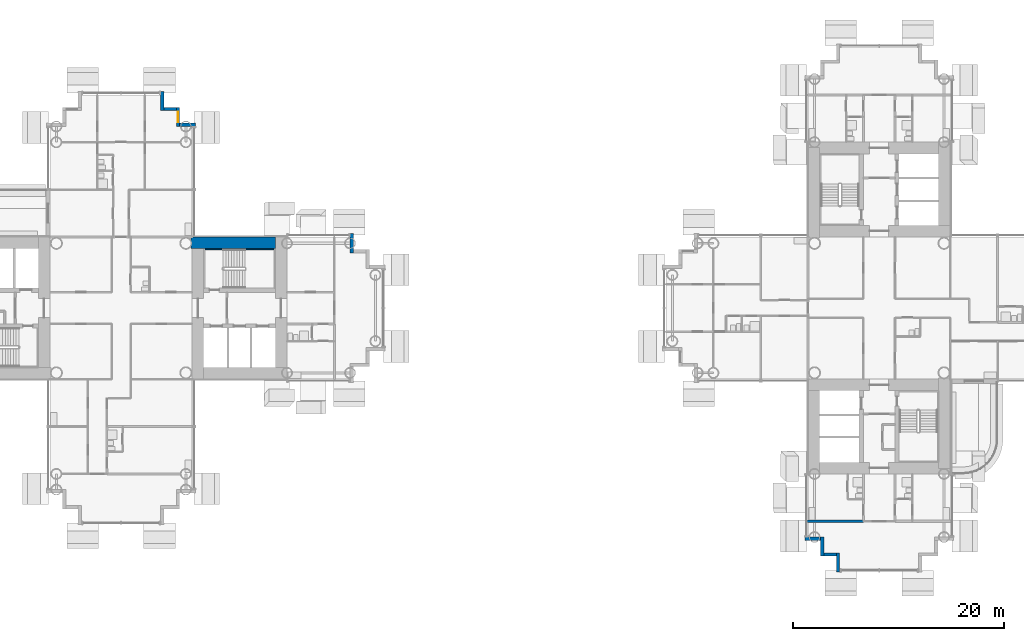
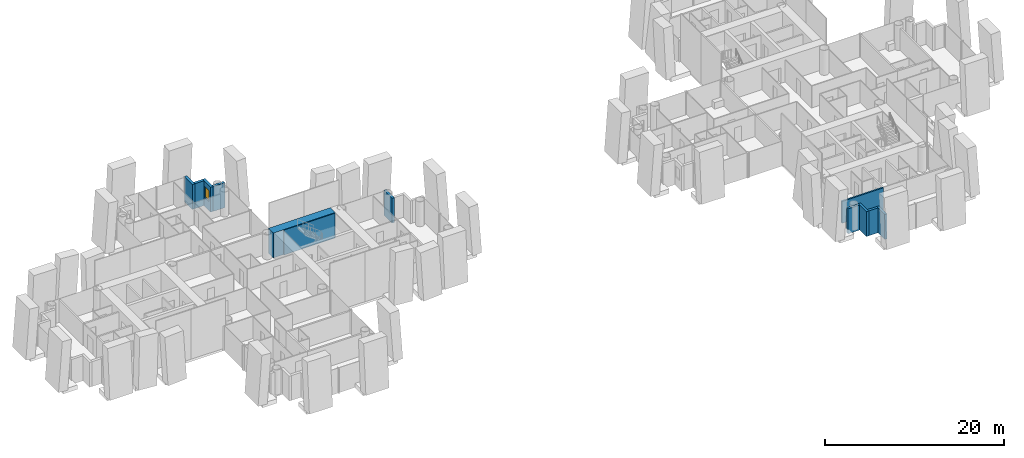
# One storey, part 13 of 25: 12 walls, 1 window, 1 opening.
"""IFC4 building model written with IfcOpenShell, lengths in metres."""

from ifc_helpers import new_model, si_unit, direction, frame, frame_2d, origin, place, context, subcontext, project, spatial, rectangle, extrude, material, layer, layer_set, type_object, element, fill, save


model = new_model("IFC4")

# Units and contexts
model_context = context("Model", 3, precision=1e-05, world=origin(), true_north=direction((0.0, 1.0)))
body_context = subcontext(model_context, "Body", "Model", "MODEL_VIEW")
ifc_project = project(units=[si_unit("LENGTHUNIT", "METRE"), si_unit("AREAUNIT", "SQUARE_METRE"), si_unit("VOLUMEUNIT", "CUBIC_METRE"), si_unit("PLANEANGLEUNIT", "RADIAN"), si_unit("MASSUNIT", "GRAM", prefix="KILO")], contexts=[model_context])

# Site, building, storey
site_placement = place(None, origin())
site = spatial("IfcSite", under=ifc_project, at=site_placement, CompositionType="ELEMENT")
building_placement = place(site_placement, origin())
building = spatial("IfcBuilding", under=site, at=building_placement, Name="Ipe Terrace Towers", CompositionType="ELEMENT")
storey_placement = place(building_placement, frame((0.0, 0.0, 31.300048828125)))
storey = spatial("IfcBuildingStorey", under=building, at=storey_placement, Name="L07", CompositionType="ELEMENT", Elevation=31.300048828125)

# Walls
ifc_material_1 = material(Name="Concrete C40/50 with buff precast cladding", Category="concrete")
ifc_layer_1 = layer(ifc_material_1, 0.320068359375)
ifc_layer_set_1 = layer_set([ifc_layer_1], Name="BUFF CLADDING WALL 320")
wall_type_1 = type_object("IfcWallType", Name="BUFF CLADDING WALL 320", PredefinedType="STANDARD", material=ifc_layer_set_1)
wall_1_placement = place(storey_placement, frame((-14.090087890625, 5.25, -0.300048828125), z_axis=(0.0, 0.0, 1.0), x_axis=(0.0, 1.0, 0.0)))
element("IfcWall", 1, at=wall_1_placement, inside=storey, type_object=wall_type_1, Name="T1-W-L07-29a wall", PredefinedType="STANDARD", context=body_context, shape_type="SweptSolid", body=[
    extrude(rectangle(XDim=1.820068359375, YDim=0.320068359375, at=frame_2d((0.91015625, 0.0))), origin(), (0.0, 0.0, 1.0), 3.39990234375),
])
wall_2_placement = place(storey_placement, frame((-28.929931640625, 17.409912109375, -0.300048828125), z_axis=(0.0, 0.0, 1.0), x_axis=(-1.0, 0.0, 0.0)))
element("IfcWall", 2, at=wall_2_placement, inside=storey, type_object=wall_type_1, Name="T1-W-L07-34a wall", PredefinedType="STANDARD", context=body_context, shape_type="SweptSolid", body=[
    extrude(rectangle(XDim=1.5, YDim=0.320068359375, at=frame_2d((0.75, 0.0))), origin(), (0.0, 0.0, 1.0), 3.39990234375),
])

# Wall, opening, window
wall_3_placement = place(storey_placement, frame((-30.590087890625, 17.25, -0.300048828125), z_axis=(0.0, 0.0, 1.0), x_axis=(0.0, 1.0, 0.0)))
wall_3 = element("IfcWall", 3, at=wall_3_placement, inside=storey, type_object=wall_type_1, Name="T1-W-L07-35a wall", PredefinedType="STANDARD", context=body_context, shape_type="SweptSolid", body=[
    extrude(rectangle(XDim=1.820068359375, YDim=0.320068359375, at=frame_2d((0.91015625, 0.0))), origin(), (0.0, 0.0, 1.0), 3.39990234375),
])
opening_placement = place(wall_3_placement, frame((0.409912109375, 0.0, 1.199951171875)))
opening = element("IfcOpeningElement", 4, at=opening_placement, cuts=wall_3, Name="Opening T1-W-05-L07-02", PredefinedType="OPENING", context=body_context, shape_type="SweptSolid", body=[
    extrude(rectangle(XDim=1.0, YDim=1.5, at=frame_2d((0.5, 0.75))), frame((0.0, 0.169921875, 0.0), z_axis=(0.0, -1.0, 0.0), x_axis=(1.0, 0.0, 0.0)), (0.0, 0.0, 1.0), 0.340087890625),
])
ifc_material_2 = material(Name="Glass, clear laminated", Category="glass")
window_type = type_object("IfcWindowType", Name="DWELLING WINDOW 1000 x 1500", PartitioningType="SINGLE_PANEL", PredefinedType="WINDOW", material=ifc_material_2)
window_placement = place(opening_placement, origin())
window = element("IfcWindow", 5, at=window_placement, inside=storey, type_object=window_type, Name="W-05 window", OverallHeight=1.5, OverallWidth=1.0, PartitioningType="SINGLE_PANEL", PredefinedType="WINDOW", context=body_context, shape_type="SweptSolid", body=[
    extrude(rectangle(XDim=1.0, YDim=1.5, at=frame_2d((0.5, 0.75))), frame((0.0, 0.030029296875, 0.0), z_axis=(0.0, -1.0, 0.0), x_axis=(1.0, 0.0, 0.0)), (0.0, 0.0, 1.0), 0.06005859375),
])
fill(opening, window)

# Walls
wall_4_placement = place(storey_placement, frame((-30.75, 18.909912109375, -0.300048828125), z_axis=(0.0, 0.0, 1.0), x_axis=(-1.0, 0.0, 0.0)))
element("IfcWall", 6, at=wall_4_placement, inside=storey, type_object=wall_type_1, Name="T1-W-L07-36a wall", PredefinedType="STANDARD", context=body_context, shape_type="SweptSolid", body=[
    extrude(rectangle(XDim=1.179931640625, YDim=0.320068359375, at=frame_2d((0.58984375, 0.0))), origin(), (0.0, 0.0, 1.0), 3.39990234375),
])
wall_5_placement = place(storey_placement, frame((-32.090087890625, 18.75, -0.300048828125), z_axis=(0.0, 0.0, 1.0), x_axis=(0.0, 1.0, 0.0)))
element("IfcWall", 7, at=wall_5_placement, inside=storey, type_object=wall_type_1, Name="T1-W-L07-37a wall", PredefinedType="STANDARD", context=body_context, shape_type="SweptSolid", body=[
    extrude(rectangle(XDim=1.820068359375, YDim=0.320068359375, at=frame_2d((0.91015625, 0.0))), origin(), (0.0, 0.0, 1.0), 3.39990234375),
])
wall_6_placement = place(storey_placement, frame((28.929931640625, -21.909912109375, -0.300048828125), z_axis=(0.0, 0.0, 1.0), x_axis=(1.0, 0.0, 0.0)))
element("IfcWall", 8, at=wall_6_placement, inside=storey, type_object=wall_type_1, Name="T2-W-L07-47a wall", PredefinedType="STANDARD", context=body_context, shape_type="SweptSolid", body=[
    extrude(rectangle(XDim=1.5, YDim=0.320068359375, at=frame_2d((0.75, 0.0))), origin(), (0.0, 0.0, 1.0), 3.39990234375),
])
wall_7_placement = place(storey_placement, frame((30.590087890625, -21.75, -0.300048828125), z_axis=(0.0, 0.0, 1.0), x_axis=(0.0, -1.0, 0.0)))
element("IfcWall", 9, at=wall_7_placement, inside=storey, type_object=wall_type_1, Name="T2-W-L07-48a wall", PredefinedType="STANDARD", context=body_context, shape_type="SweptSolid", body=[
    extrude(rectangle(XDim=1.820068359375, YDim=0.320068359375, at=frame_2d((0.91015625, 0.0))), origin(), (0.0, 0.0, 1.0), 3.39990234375),
])
wall_8_placement = place(storey_placement, frame((30.75, -23.409912109375, -0.300048828125), z_axis=(0.0, 0.0, 1.0), x_axis=(1.0, 0.0, 0.0)))
element("IfcWall", 10, at=wall_8_placement, inside=storey, type_object=wall_type_1, Name="T2-W-L07-49a wall", PredefinedType="STANDARD", context=body_context, shape_type="SweptSolid", body=[
    extrude(rectangle(XDim=1.179931640625, YDim=0.320068359375, at=frame_2d((0.58984375, 0.0))), origin(), (0.0, 0.0, 1.0), 3.39990234375),
])
wall_9_placement = place(storey_placement, frame((32.090087890625, -23.25, -0.300048828125), z_axis=(0.0, 0.0, 1.0), x_axis=(0.0, -1.0, 0.0)))
element("IfcWall", 11, at=wall_9_placement, inside=storey, type_object=wall_type_1, Name="T2-W-L07-50a wall", PredefinedType="STANDARD", context=body_context, shape_type="SweptSolid", body=[
    extrude(rectangle(XDim=1.820068359375, YDim=0.320068359375, at=frame_2d((0.91015625, 0.0))), origin(), (0.0, 0.0, 1.0), 3.39990234375),
])
ifc_material_3 = material(Name="Gypsum board party wall", Category="plasterboard")
ifc_layer_2 = layer(ifc_material_3, 0.199951171875)
ifc_layer_set_2 = layer_set([ifc_layer_2], Name="Gypsum board party wall 200 mm")
wall_type_2 = type_object("IfcWallType", Name="Gypsum board party wall 200 mm", PredefinedType="SOLIDWALL", material=ifc_layer_set_2)
wall_10_placement = place(storey_placement, frame((34.5, -20.25, 0.0), z_axis=(0.0, 0.0, 1.0), x_axis=(-1.0, 0.0, 0.0)))
element("IfcWall", 12, at=wall_10_placement, inside=storey, type_object=wall_type_2, Name="Gypsum board party wall T2 L07 W03", PredefinedType="SOLIDWALL", context=body_context, shape_type="SweptSolid", body=[
    extrude(rectangle(XDim=5.35009765625, YDim=0.199951171875, at=frame_2d((2.675048828125, 0.0))), origin(), (0.0, 0.0, 1.0), 3.0),
])
ifc_material_4 = material(Name="Concrete C60/75", Category="concrete")
ifc_layer_3 = layer(ifc_material_4, 0.10009765625)
ifc_layer_set_3 = layer_set([ifc_layer_3], Name="RW100 CORE INFILL WALL 100 C60-75")
wall_type_3 = type_object("IfcWallType", Name="RW100 CORE INFILL WALL 100 C60-75", PredefinedType="SHEAR", material=ifc_layer_set_3)
wall_11_placement = place(storey_placement, frame((-28.050048828125, 5.60009765625, 0.0), z_axis=(0.0, 0.0, 1.0), x_axis=(1.0, 0.0, 0.0)))
element("IfcWall", 13, at=wall_11_placement, inside=storey, type_object=wall_type_3, Name="Core infill wall T1-C1-back", PredefinedType="SHEAR", context=body_context, shape_type="SweptSolid", body=[
    extrude(rectangle(XDim=6.60009765625, YDim=0.10009765625, at=frame_2d((3.300048828125, 0.0))), origin(), (0.0, 0.0, 1.0), 3.39990234375),
])
ifc_material_5 = material(Name="Concrete C60/75", Category="concrete")
ifc_layer_4 = layer(ifc_material_5, 1.10009765625)
ifc_layer_set_4 = layer_set([ifc_layer_4], Name="RW1100 CORE WALL 1100 C60-75")
wall_type_4 = type_object("IfcWallType", Name="RW1100 CORE WALL 1100 C60-75", PredefinedType="SHEAR", material=ifc_layer_set_4)
wall_12_placement = place(storey_placement, frame((-21.35009765625, 6.199951171875, 0.0), z_axis=(0.0, 0.0, 1.0), x_axis=(-1.0, 0.0, 0.0)))
element("IfcWall", 14, at=wall_12_placement, inside=storey, type_object=wall_type_4, Name="Core wall T1-C1-Z1-W03", PredefinedType="SHEAR", context=body_context, shape_type="SweptSolid", body=[
    extrude(rectangle(XDim=7.997802734375, YDim=1.10009765625, at=frame_2d((3.9990234375, 0.0))), origin(), (0.0, 0.0, 1.0), 3.39990234375),
])

save(model, "model.ifc")
